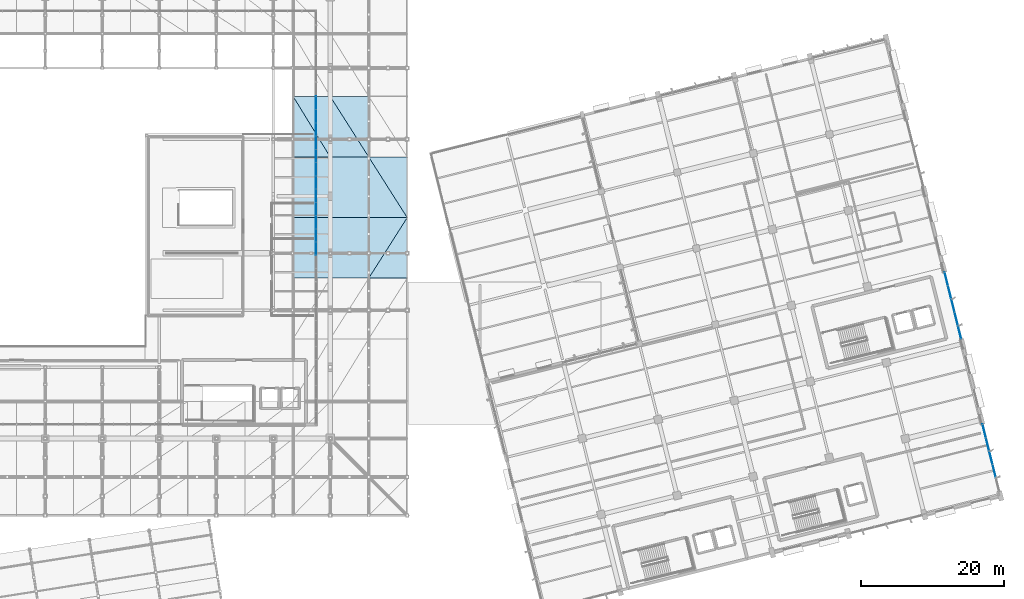
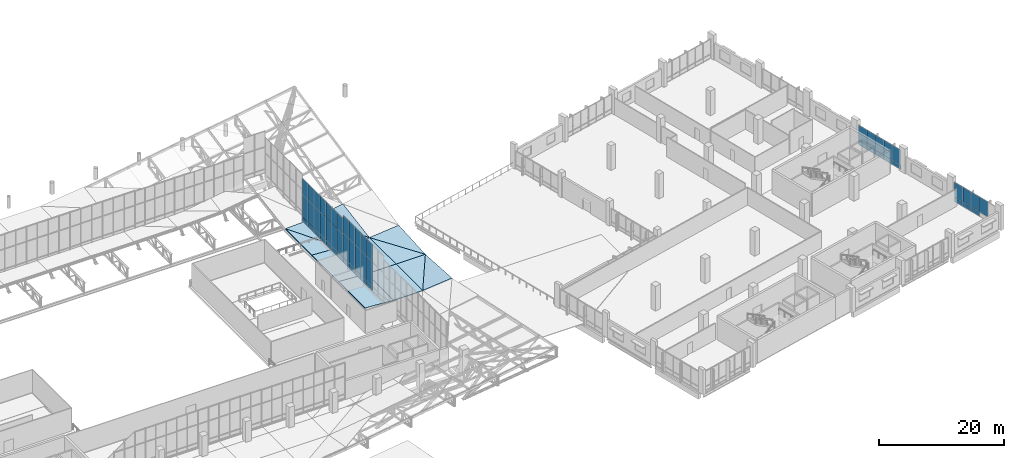
# One storey, part 111 of 137: 53 plates, 12 slabs, 5 elements without a shape of their own.
"""IFC4 building model written with IfcOpenShell, lengths in metres."""

from ifc_helpers import new_model, si_unit, direction, frame, origin, origin_2d, place, context, subcontext, project, spatial, polyline, rectangle, outline, extrude, material, layer, layer_set, type_object, element, aggregate, save


model = new_model("IFC4")

# Units and contexts
model_context = context("Model", 3, precision=1e-05, world=origin(), true_north=direction((0.0, 1.0)))
body_context = subcontext(model_context, "Body", "Model", "MODEL_VIEW")
ifc_project = project(units=[si_unit("LENGTHUNIT", "METRE"), si_unit("AREAUNIT", "SQUARE_METRE"), si_unit("VOLUMEUNIT", "CUBIC_METRE"), si_unit("PLANEANGLEUNIT", "RADIAN"), si_unit("MASSUNIT", "GRAM", prefix="KILO")], contexts=[model_context])

# Site, building, storey
site_placement = place(None, origin())
site = spatial("IfcSite", under=ifc_project, at=site_placement, CompositionType="ELEMENT")
building_placement = place(site_placement, origin())
building = spatial("IfcBuilding", under=site, at=building_placement, Name="Khorjan Park Terminus", CompositionType="ELEMENT")
storey_placement = place(building_placement, frame((0.0, 0.0, 11.4)))
storey = spatial("IfcBuildingStorey", under=building, at=storey_placement, Name="L02", CompositionType="ELEMENT", Elevation=11.4)

# Curtain wall, plates
ifc_material_1 = material(Name="Anodized Bronze Aluminium", Category="aluminium")
ifc_layer_1 = layer(ifc_material_1, 0.22)
ifc_layer_set_1 = layer_set([ifc_layer_1], Name="Anodized Bronze Aluminium")
curtain_wall_type_1 = type_object("IfcCurtainWallType", Name="CW-OPS-B", PredefinedType="NOTDEFINED", material=ifc_layer_set_1)
curtain_wall_1_placement = place(storey_placement, origin())
curtain_wall_1 = element("IfcCurtainWall", 1, at=curtain_wall_1_placement, inside=storey, type_object=curtain_wall_type_1, Name="Unitized curtain wall CW-B (CW-V5-E-L02-B03)", PredefinedType="NOTDEFINED")
ifc_material_2 = material(Name="Low-E Solar Control Double Glazing", Category="glass")
ifc_layer_2 = layer(ifc_material_2, 0.032)
ifc_layer_set_2 = layer_set([ifc_layer_2], Name="Low-E Solar Control Double Glazing")
plate_type_1 = type_object("IfcPlateType", Name="GL-VIS-32", PredefinedType="CURTAIN_PANEL", material=ifc_layer_set_2)
plate_1_placement = place(storey_placement, frame((224.3195, 40.9083, 0.844), z_axis=(0.0, 0.0, 1.0), x_axis=(-0.241922975976, 0.970295456907, 0.0)))
plate_1 = element("IfcPlate", 2, at=plate_1_placement, type_object=plate_type_1, Name="Curtain-wall panel VP-32 (CW-V5-E-L02-B03-0-2)", PredefinedType="CURTAIN_PANEL", context=body_context, shape_type="SweptSolid", body=[
    extrude(rectangle(XDim=1.9281, YDim=0.032, at=origin_2d()), origin(), (0.0, 0.0, 1.0), 3.001),
])
plate_2_placement = place(storey_placement, frame((223.8531, 42.7792, 0.844), z_axis=(0.0, 0.0, 1.0), x_axis=(-0.241922975976, 0.970295456907, 0.0)))
plate_2 = element("IfcPlate", 3, at=plate_2_placement, type_object=plate_type_1, Name="Curtain-wall panel VP-32 (CW-V5-E-L02-B03-1-2)", PredefinedType="CURTAIN_PANEL", context=body_context, shape_type="SweptSolid", body=[
    extrude(rectangle(XDim=1.9281, YDim=0.032, at=origin_2d()), origin(), (0.0, 0.0, 1.0), 3.001),
])
plate_3_placement = place(storey_placement, frame((223.3867, 44.6501, 0.844), z_axis=(0.0, 0.0, 1.0), x_axis=(-0.241922975976, 0.970295456907, 0.0)))
plate_3 = element("IfcPlate", 4, at=plate_3_placement, type_object=plate_type_1, Name="Curtain-wall panel VP-32 (CW-V5-E-L02-B03-2-2)", PredefinedType="CURTAIN_PANEL", context=body_context, shape_type="SweptSolid", body=[
    extrude(rectangle(XDim=1.9281, YDim=0.032, at=origin_2d()), origin(), (0.0, 0.0, 1.0), 3.001),
])
plate_4_placement = place(storey_placement, frame((222.9202, 46.5209, 0.844), z_axis=(0.0, 0.0, 1.0), x_axis=(-0.241922975976, 0.970295456907, 0.0)))
plate_4 = element("IfcPlate", 5, at=plate_4_placement, type_object=plate_type_1, Name="Curtain-wall panel VP-32 (CW-V5-E-L02-B03-3-2)", PredefinedType="CURTAIN_PANEL", context=body_context, shape_type="SweptSolid", body=[
    extrude(rectangle(XDim=1.9281, YDim=0.032, at=origin_2d()), origin(), (0.0, 0.0, 1.0), 3.001),
])
plate_5_placement = place(storey_placement, frame((222.4538, 48.3918, 0.844), z_axis=(0.0, 0.0, 1.0), x_axis=(-0.241922975976, 0.970295456907, 0.0)))
plate_5 = element("IfcPlate", 6, at=plate_5_placement, type_object=plate_type_1, Name="Curtain-wall panel VP-32 (CW-V5-E-L02-B03-4-2)", PredefinedType="CURTAIN_PANEL", context=body_context, shape_type="SweptSolid", body=[
    extrude(rectangle(XDim=1.9281, YDim=0.032, at=origin_2d()), origin(), (0.0, 0.0, 1.0), 3.001),
])

ifc_layer_3 = layer(ifc_material_1, 0.22)
ifc_layer_set_3 = layer_set([ifc_layer_3], Name="Anodized Bronze Aluminium")
curtain_wall_type_2 = type_object("IfcCurtainWallType", Name="CW-CONC-CLR", PredefinedType="NOTDEFINED", material=ifc_layer_set_3)
curtain_wall_2_placement = place(storey_placement, origin())
curtain_wall_2 = element("IfcCurtainWall", 7, at=curtain_wall_2_placement, inside=storey, type_object=curtain_wall_type_2, Name="Unitized curtain wall CW-CL (CW-V2-E-CLR-02)", PredefinedType="NOTDEFINED")
ifc_material_3 = material(Name="Acoustic Laminated Solar Glazing", Category="glass")
ifc_layer_4 = layer(ifc_material_3, 0.036)
ifc_layer_set_4 = layer_set([ifc_layer_4], Name="Acoustic Laminated Solar Glazing")
plate_type_2 = type_object("IfcPlateType", Name="GL-VIS-36", PredefinedType="CURTAIN_PANEL", material=ifc_layer_set_4)
plate_6_placement = place(storey_placement, frame((134.0, 52.6428, 1.8), z_axis=(0.0, 0.0, 1.0), x_axis=(0.0, 1.0, 0.0)))
plate_6 = element("IfcPlate", 8, at=plate_6_placement, type_object=plate_type_2, Name="Curtain-wall panel VP-36 (CW-V2-E-CLR-02-2-2)", PredefinedType="CURTAIN_PANEL", context=body_context, shape_type="SweptSolid", body=[
    extrude(rectangle(XDim=1.8571, YDim=0.036, at=origin_2d()), origin(), (0.0, 0.0, 1.0), 4.7702),
])
plate_7_placement = place(storey_placement, frame((134.0, 52.6428, 6.5702), z_axis=(0.0, 0.0, 1.0), x_axis=(0.0, 1.0, 0.0)))
plate_7 = element("IfcPlate", 9, at=plate_7_placement, type_object=plate_type_2, Name="Curtain-wall panel VP-36 (CW-V2-E-CLR-02-2-3)", PredefinedType="CURTAIN_PANEL", context=body_context, shape_type="SweptSolid", body=[
    extrude(rectangle(XDim=1.8571, YDim=0.036, at=origin_2d()), origin(), (0.0, 0.0, 1.0), 3.4546),
])
plate_8_placement = place(storey_placement, frame((134.0, 54.5, 1.8), z_axis=(0.0, 0.0, 1.0), x_axis=(0.0, 1.0, 0.0)))
plate_8 = element("IfcPlate", 10, at=plate_8_placement, type_object=plate_type_2, Name="Curtain-wall panel VP-36 (CW-V2-E-CLR-02-3-2)", PredefinedType="CURTAIN_PANEL", context=body_context, shape_type="SweptSolid", body=[
    extrude(rectangle(XDim=1.8571, YDim=0.036, at=origin_2d()), origin(), (0.0, 0.0, 1.0), 4.7702),
])
plate_9_placement = place(storey_placement, frame((134.0, 54.5, 6.5702), z_axis=(0.0, 0.0, 1.0), x_axis=(0.0, 1.0, 0.0)))
plate_9 = element("IfcPlate", 11, at=plate_9_placement, type_object=plate_type_2, Name="Curtain-wall panel VP-36 (CW-V2-E-CLR-02-3-3)", PredefinedType="CURTAIN_PANEL", context=body_context, shape_type="SweptSolid", body=[
    extrude(rectangle(XDim=1.8571, YDim=0.036, at=origin_2d()), origin(), (0.0, 0.0, 1.0), 3.4546),
])
plate_10_placement = place(storey_placement, frame((134.0, 56.3572, 1.8), z_axis=(0.0, 0.0, 1.0), x_axis=(0.0, 1.0, 0.0)))
plate_10 = element("IfcPlate", 12, at=plate_10_placement, type_object=plate_type_2, Name="Curtain-wall panel VP-36 (CW-V2-E-CLR-02-4-2)", PredefinedType="CURTAIN_PANEL", context=body_context, shape_type="SweptSolid", body=[
    extrude(rectangle(XDim=1.8571, YDim=0.036, at=origin_2d()), origin(), (0.0, 0.0, 1.0), 4.7702),
])
plate_11_placement = place(storey_placement, frame((134.0, 56.3572, 6.5702), z_axis=(0.0, 0.0, 1.0), x_axis=(0.0, 1.0, 0.0)))
plate_11 = element("IfcPlate", 13, at=plate_11_placement, type_object=plate_type_2, Name="Curtain-wall panel VP-36 (CW-V2-E-CLR-02-4-3)", PredefinedType="CURTAIN_PANEL", context=body_context, shape_type="SweptSolid", body=[
    extrude(rectangle(XDim=1.8571, YDim=0.036, at=origin_2d()), origin(), (0.0, 0.0, 1.0), 3.4546),
])
plate_12_placement = place(storey_placement, frame((134.0, 58.2143, 1.8), z_axis=(0.0, 0.0, 1.0), x_axis=(0.0, 1.0, 0.0)))
plate_12 = element("IfcPlate", 14, at=plate_12_placement, type_object=plate_type_2, Name="Curtain-wall panel VP-36 (CW-V2-E-CLR-02-5-2)", PredefinedType="CURTAIN_PANEL", context=body_context, shape_type="SweptSolid", body=[
    extrude(rectangle(XDim=1.8571, YDim=0.036, at=origin_2d()), origin(), (0.0, 0.0, 1.0), 4.7702),
])
plate_13_placement = place(storey_placement, frame((134.0, 58.2143, 6.5702), z_axis=(0.0, 0.0, 1.0), x_axis=(0.0, 1.0, 0.0)))
plate_13 = element("IfcPlate", 15, at=plate_13_placement, type_object=plate_type_2, Name="Curtain-wall panel VP-36 (CW-V2-E-CLR-02-5-3)", PredefinedType="CURTAIN_PANEL", context=body_context, shape_type="SweptSolid", body=[
    extrude(rectangle(XDim=1.8571, YDim=0.036, at=origin_2d()), origin(), (0.0, 0.0, 1.0), 3.4546),
])
plate_14_placement = place(storey_placement, frame((134.0, 60.0714, 1.8), z_axis=(0.0, 0.0, 1.0), x_axis=(0.0, 1.0, 0.0)))
plate_14 = element("IfcPlate", 16, at=plate_14_placement, type_object=plate_type_2, Name="Curtain-wall panel VP-36 (CW-V2-E-CLR-02-6-2)", PredefinedType="CURTAIN_PANEL", context=body_context, shape_type="SweptSolid", body=[
    extrude(rectangle(XDim=1.8571, YDim=0.036, at=origin_2d()), origin(), (0.0, 0.0, 1.0), 4.7702),
])
plate_15_placement = place(storey_placement, frame((134.0, 60.0714, 6.5702), z_axis=(0.0, 0.0, 1.0), x_axis=(0.0, 1.0, 0.0)))
plate_15 = element("IfcPlate", 17, at=plate_15_placement, type_object=plate_type_2, Name="Curtain-wall panel VP-36 (CW-V2-E-CLR-02-6-3)", PredefinedType="CURTAIN_PANEL", context=body_context, shape_type="SweptSolid", body=[
    extrude(rectangle(XDim=1.8571, YDim=0.036, at=origin_2d()), origin(), (0.0, 0.0, 1.0), 3.4546),
])

curtain_wall_3_placement = place(storey_placement, origin())
curtain_wall_3 = element("IfcCurtainWall", 18, at=curtain_wall_3_placement, inside=storey, type_object=curtain_wall_type_2, Name="Unitized curtain wall CW-CL (CW-V2-E-CLR-03)", PredefinedType="NOTDEFINED")
plate_16_placement = place(storey_placement, frame((134.0, 61.9286, 1.8), z_axis=(0.0, 0.0, 1.0), x_axis=(0.0, 1.0, 0.0)))
plate_16 = element("IfcPlate", 19, at=plate_16_placement, type_object=plate_type_2, Name="Curtain-wall panel VP-36 (CW-V2-E-CLR-03-0-2)", PredefinedType="CURTAIN_PANEL", context=body_context, shape_type="SweptSolid", body=[
    extrude(rectangle(XDim=1.8571, YDim=0.036, at=origin_2d()), origin(), (0.0, 0.0, 1.0), 4.355),
])
plate_17_placement = place(storey_placement, frame((134.0, 61.9286, 6.155), z_axis=(0.0, 0.0, 1.0), x_axis=(0.0, 1.0, 0.0)))
plate_17 = element("IfcPlate", 20, at=plate_17_placement, type_object=plate_type_2, Name="Curtain-wall panel VP-36 (CW-V2-E-CLR-03-0-3)", PredefinedType="CURTAIN_PANEL", context=body_context, shape_type="SweptSolid", body=[
    extrude(rectangle(XDim=1.8571, YDim=0.036, at=origin_2d()), origin(), (0.0, 0.0, 1.0), 3.2002),
])
plate_18_placement = place(storey_placement, frame((134.0, 63.7857, 1.8), z_axis=(0.0, 0.0, 1.0), x_axis=(0.0, 1.0, 0.0)))
plate_18 = element("IfcPlate", 21, at=plate_18_placement, type_object=plate_type_2, Name="Curtain-wall panel VP-36 (CW-V2-E-CLR-03-1-2)", PredefinedType="CURTAIN_PANEL", context=body_context, shape_type="SweptSolid", body=[
    extrude(rectangle(XDim=1.8571, YDim=0.036, at=origin_2d()), origin(), (0.0, 0.0, 1.0), 4.355),
])
plate_19_placement = place(storey_placement, frame((134.0, 63.7857, 6.155), z_axis=(0.0, 0.0, 1.0), x_axis=(0.0, 1.0, 0.0)))
plate_19 = element("IfcPlate", 22, at=plate_19_placement, type_object=plate_type_2, Name="Curtain-wall panel VP-36 (CW-V2-E-CLR-03-1-3)", PredefinedType="CURTAIN_PANEL", context=body_context, shape_type="SweptSolid", body=[
    extrude(rectangle(XDim=1.8571, YDim=0.036, at=origin_2d()), origin(), (0.0, 0.0, 1.0), 3.2002),
])
plate_20_placement = place(storey_placement, frame((134.0, 65.6428, 1.8), z_axis=(0.0, 0.0, 1.0), x_axis=(0.0, 1.0, 0.0)))
plate_20 = element("IfcPlate", 23, at=plate_20_placement, type_object=plate_type_2, Name="Curtain-wall panel VP-36 (CW-V2-E-CLR-03-2-2)", PredefinedType="CURTAIN_PANEL", context=body_context, shape_type="SweptSolid", body=[
    extrude(rectangle(XDim=1.8571, YDim=0.036, at=origin_2d()), origin(), (0.0, 0.0, 1.0), 4.355),
])
plate_21_placement = place(storey_placement, frame((134.0, 65.6428, 6.155), z_axis=(0.0, 0.0, 1.0), x_axis=(0.0, 1.0, 0.0)))
plate_21 = element("IfcPlate", 24, at=plate_21_placement, type_object=plate_type_2, Name="Curtain-wall panel VP-36 (CW-V2-E-CLR-03-2-3)", PredefinedType="CURTAIN_PANEL", context=body_context, shape_type="SweptSolid", body=[
    extrude(rectangle(XDim=1.8571, YDim=0.036, at=origin_2d()), origin(), (0.0, 0.0, 1.0), 3.2002),
])
plate_22_placement = place(storey_placement, frame((134.0, 67.5, 1.8), z_axis=(0.0, 0.0, 1.0), x_axis=(0.0, 1.0, 0.0)))
plate_22 = element("IfcPlate", 25, at=plate_22_placement, type_object=plate_type_2, Name="Curtain-wall panel VP-36 (CW-V2-E-CLR-03-3-2)", PredefinedType="CURTAIN_PANEL", context=body_context, shape_type="SweptSolid", body=[
    extrude(rectangle(XDim=1.8571, YDim=0.036, at=origin_2d()), origin(), (0.0, 0.0, 1.0), 4.355),
])
plate_23_placement = place(storey_placement, frame((134.0, 67.5, 6.155), z_axis=(0.0, 0.0, 1.0), x_axis=(0.0, 1.0, 0.0)))
plate_23 = element("IfcPlate", 26, at=plate_23_placement, type_object=plate_type_2, Name="Curtain-wall panel VP-36 (CW-V2-E-CLR-03-3-3)", PredefinedType="CURTAIN_PANEL", context=body_context, shape_type="SweptSolid", body=[
    extrude(rectangle(XDim=1.8571, YDim=0.036, at=origin_2d()), origin(), (0.0, 0.0, 1.0), 3.2002),
])
plate_24_placement = place(storey_placement, frame((134.0, 69.3572, 1.8), z_axis=(0.0, 0.0, 1.0), x_axis=(0.0, 1.0, 0.0)))
plate_24 = element("IfcPlate", 27, at=plate_24_placement, type_object=plate_type_2, Name="Curtain-wall panel VP-36 (CW-V2-E-CLR-03-4-2)", PredefinedType="CURTAIN_PANEL", context=body_context, shape_type="SweptSolid", body=[
    extrude(rectangle(XDim=1.8571, YDim=0.036, at=origin_2d()), origin(), (0.0, 0.0, 1.0), 4.355),
])
plate_25_placement = place(storey_placement, frame((134.0, 69.3572, 6.155), z_axis=(0.0, 0.0, 1.0), x_axis=(0.0, 1.0, 0.0)))
plate_25 = element("IfcPlate", 28, at=plate_25_placement, type_object=plate_type_2, Name="Curtain-wall panel VP-36 (CW-V2-E-CLR-03-4-3)", PredefinedType="CURTAIN_PANEL", context=body_context, shape_type="SweptSolid", body=[
    extrude(rectangle(XDim=1.8571, YDim=0.036, at=origin_2d()), origin(), (0.0, 0.0, 1.0), 3.2002),
])
plate_26_placement = place(storey_placement, frame((134.0, 71.2143, 1.8), z_axis=(0.0, 0.0, 1.0), x_axis=(0.0, 1.0, 0.0)))
plate_26 = element("IfcPlate", 29, at=plate_26_placement, type_object=plate_type_2, Name="Curtain-wall panel VP-36 (CW-V2-E-CLR-03-5-2)", PredefinedType="CURTAIN_PANEL", context=body_context, shape_type="SweptSolid", body=[
    extrude(rectangle(XDim=1.8571, YDim=0.036, at=origin_2d()), origin(), (0.0, 0.0, 1.0), 4.355),
])
plate_27_placement = place(storey_placement, frame((134.0, 71.2143, 6.155), z_axis=(0.0, 0.0, 1.0), x_axis=(0.0, 1.0, 0.0)))
plate_27 = element("IfcPlate", 30, at=plate_27_placement, type_object=plate_type_2, Name="Curtain-wall panel VP-36 (CW-V2-E-CLR-03-5-3)", PredefinedType="CURTAIN_PANEL", context=body_context, shape_type="SweptSolid", body=[
    extrude(rectangle(XDim=1.8571, YDim=0.036, at=origin_2d()), origin(), (0.0, 0.0, 1.0), 3.2002),
])
plate_28_placement = place(storey_placement, frame((134.0, 73.0714, 1.8), z_axis=(0.0, 0.0, 1.0), x_axis=(0.0, 1.0, 0.0)))
plate_28 = element("IfcPlate", 31, at=plate_28_placement, type_object=plate_type_2, Name="Curtain-wall panel VP-36 (CW-V2-E-CLR-03-6-2)", PredefinedType="CURTAIN_PANEL", context=body_context, shape_type="SweptSolid", body=[
    extrude(rectangle(XDim=1.8571, YDim=0.036, at=origin_2d()), origin(), (0.0, 0.0, 1.0), 4.355),
])
plate_29_placement = place(storey_placement, frame((134.0, 73.0714, 6.155), z_axis=(0.0, 0.0, 1.0), x_axis=(0.0, 1.0, 0.0)))
plate_29 = element("IfcPlate", 32, at=plate_29_placement, type_object=plate_type_2, Name="Curtain-wall panel VP-36 (CW-V2-E-CLR-03-6-3)", PredefinedType="CURTAIN_PANEL", context=body_context, shape_type="SweptSolid", body=[
    extrude(rectangle(XDim=1.8571, YDim=0.036, at=origin_2d()), origin(), (0.0, 0.0, 1.0), 3.2002),
])

curtain_wall_4_placement = place(storey_placement, origin())
curtain_wall_4 = element("IfcCurtainWall", 33, at=curtain_wall_4_placement, inside=storey, type_object=curtain_wall_type_1, Name="Unitized curtain wall CW-B (CW-V5-E-L02-B01)", PredefinedType="NOTDEFINED")
plate_30_placement = place(storey_placement, frame((229.1754, 21.4327, 0.841), z_axis=(0.0, 0.0, 1.0), x_axis=(-0.241920488516, 0.9702960771, 0.0)))
plate_30 = element("IfcPlate", 34, at=plate_30_placement, type_object=plate_type_2, Name="Curtain-wall panel VP-36 (CW-V5-E-L02-B01-1-2)", PredefinedType="CURTAIN_PANEL", context=body_context, shape_type="SweptSolid", body=[
    extrude(rectangle(XDim=1.928, YDim=0.036, at=origin_2d()), origin(), (0.0, 0.0, 1.0), 2.994),
])
plate_31_placement = place(storey_placement, frame((228.709, 23.3035, 0.841), z_axis=(0.0, 0.0, 1.0), x_axis=(-0.241920488516, 0.9702960771, 0.0)))
plate_31 = element("IfcPlate", 35, at=plate_31_placement, type_object=plate_type_2, Name="Curtain-wall panel VP-36 (CW-V5-E-L02-B01-2-2)", PredefinedType="CURTAIN_PANEL", context=body_context, shape_type="SweptSolid", body=[
    extrude(rectangle(XDim=1.928, YDim=0.036, at=origin_2d()), origin(), (0.0, 0.0, 1.0), 2.994),
])
plate_32_placement = place(storey_placement, frame((228.2425, 25.1743, 0.841), z_axis=(0.0, 0.0, 1.0), x_axis=(-0.241920488516, 0.9702960771, 0.0)))
plate_32 = element("IfcPlate", 36, at=plate_32_placement, type_object=plate_type_2, Name="Curtain-wall panel VP-36 (CW-V5-E-L02-B01-3-2)", PredefinedType="CURTAIN_PANEL", context=body_context, shape_type="SweptSolid", body=[
    extrude(rectangle(XDim=1.928, YDim=0.036, at=origin_2d()), origin(), (0.0, 0.0, 1.0), 2.994),
])
plate_33_placement = place(storey_placement, frame((227.7761, 27.045, 0.841), z_axis=(0.0, 0.0, 1.0), x_axis=(-0.241920488516, 0.9702960771, 0.0)))
plate_33 = element("IfcPlate", 37, at=plate_33_placement, type_object=plate_type_2, Name="Curtain-wall panel VP-36 (CW-V5-E-L02-B01-4-2)", PredefinedType="CURTAIN_PANEL", context=body_context, shape_type="SweptSolid", body=[
    extrude(rectangle(XDim=1.928, YDim=0.036, at=origin_2d()), origin(), (0.0, 0.0, 1.0), 2.994),
])

# Roof, slabs
ifc_material_4 = material(Name="Concrete C50/60", Category="concrete")
ifc_layer_5 = layer(ifc_material_4, 0.16)
ifc_layer_set_5 = layer_set([ifc_layer_5], Name="Concrete C50/60")
roof_type = type_object("IfcRoofType", Name="RF-SHELL-LOWER", PredefinedType="FREEFORM", material=ifc_layer_set_5)
roof_placement = place(storey_placement, origin())
roof = element("IfcRoof", 38, at=roof_placement, inside=storey, type_object=roof_type, Name="Lower 4-sided wrapping folded concrete shell roof RF-CS2 (4)", PredefinedType="FREEFORM")
ifc_layer_6 = layer(ifc_material_4, 0.16)
ifc_layer_set_6 = layer_set([ifc_layer_6], Name="Concrete C50/60")
slab_type = type_object("IfcSlabType", Name="SL-SHL-160", PredefinedType="ROOF", material=ifc_layer_set_6)
slab_1_placement = place(storey_placement, frame((130.8, 48.5, 0.654), z_axis=(0.056448312253, 0.0, 0.998405522843), x_axis=(0.998405522843, 0.0, -0.056448312253)))
slab_1 = element("IfcSlab", 39, at=slab_1_placement, type_object=slab_type, Name="Lower 4-sided wrapping folded concrete shell facet RS-16 (159)", PredefinedType="ROOF", context=body_context, shape_type="SweptSolid", body=[
    extrude(outline(polyline([(0.0, 0.0), (5.20830452258697, 0.0), (5.20830452258697, 8.500000000000002), (0.0, 8.500000000000002), (0.0, 0.0)])), origin(), (0.0, 0.0, -1.0), 0.16),
])
slab_2_placement = place(storey_placement, frame((130.8, 57.0, 0.654), z_axis=(0.056448312253, 0.0, 0.998405522843), x_axis=(0.998405522843, 0.0, -0.056448312253)))
slab_2 = element("IfcSlab", 40, at=slab_2_placement, type_object=slab_type, Name="Lower 4-sided wrapping folded concrete shell facet RS-16 (160)", PredefinedType="ROOF", context=body_context, shape_type="SweptSolid", body=[
    extrude(outline(polyline([(0.0, 0.0), (5.20830452258697, 0.0), (5.20830452258697, 8.500000000000002), (0.0, 8.500000000000002), (0.0, 0.0)])), origin(), (0.0, 0.0, -1.0), 0.16),
])
slab_3_placement = place(storey_placement, frame((130.8, 65.5, 0.654), z_axis=(0.056448312253, 0.0, 0.998405522843), x_axis=(0.998405522843, 0.0, -0.056448312253)))
slab_3 = element("IfcSlab", 41, at=slab_3_placement, type_object=slab_type, Name="Lower 4-sided wrapping folded concrete shell facet RS-16 (161)", PredefinedType="ROOF", context=body_context, shape_type="SweptSolid", body=[
    extrude(outline(polyline([(0.0, 0.0), (5.20830452258697, 0.0), (0.0, 8.500000000000002), (0.0, 0.0)])), origin(), (0.0, 0.0, -1.0), 0.16),
])
slab_4_placement = place(storey_placement, frame((136.0, 65.5, 0.36), z_axis=(-0.040108986249, -0.059037286469, 0.997449681953), x_axis=(0.0, 0.998252965285, 0.059084831392)))
slab_4 = element("IfcSlab", 42, at=slab_4_placement, type_object=slab_type, Name="Lower 4-sided wrapping folded concrete shell facet RS-16 (162)", PredefinedType="ROOF", context=body_context, shape_type="SweptSolid", body=[
    extrude(outline(polyline([(0.0, 0.0), (8.514875783591913, 3.469446951953614e-18), (8.502521145347782, 5.2041877534264405), (0.0, 0.0)])), origin(), (0.0, 0.0, -1.0), 0.16),
])
slab_5_placement = place(storey_placement, frame((136.0, 48.5, 0.36), z_axis=(0.0, 0.0, 1.0), x_axis=(1.0, 0.0, 0.0)))
slab_5 = element("IfcSlab", 43, at=slab_5_placement, type_object=slab_type, Name="Lower 4-sided wrapping folded concrete shell facet RS-16 (178)", PredefinedType="ROOF", context=body_context, shape_type="SweptSolid", body=[
    extrude(outline(polyline([(0.0, 0.0), (5.400000000000006, 0.0), (5.400000000000006, 8.5), (0.0, 8.5), (0.0, 0.0)])), origin(), (0.0, 0.0, -1.0), 0.16),
])
slab_6_placement = place(storey_placement, frame((136.0, 57.0, 0.36), z_axis=(0.0, 0.0, 1.0), x_axis=(1.0, 0.0, 0.0)))
slab_6 = element("IfcSlab", 44, at=slab_6_placement, type_object=slab_type, Name="Lower 4-sided wrapping folded concrete shell facet RS-16 (179)", PredefinedType="ROOF", context=body_context, shape_type="SweptSolid", body=[
    extrude(outline(polyline([(0.0, 0.0), (5.400000000000006, 0.0), (5.400000000000006, 8.5), (0.0, 8.5), (0.0, 0.0)])), origin(), (0.0, 0.0, -1.0), 0.16),
])
slab_7_placement = place(storey_placement, frame((136.0, 65.5, 0.36), z_axis=(0.0, -0.059084831392, 0.998252965285), x_axis=(1.0, 0.0, 0.0)))
slab_7 = element("IfcSlab", 45, at=slab_7_placement, type_object=slab_type, Name="Lower 4-sided wrapping folded concrete shell facet RS-16 (180)", PredefinedType="ROOF", context=body_context, shape_type="SweptSolid", body=[
    extrude(outline(polyline([(0.0, 0.0), (5.400000000000006, 0.0), (0.0, 8.514875783591911), (0.0, 0.0)])), origin(), (0.0, 0.0, -1.0), 0.16),
])
slab_8_placement = place(storey_placement, frame((141.4, 65.5, 0.36), z_axis=(-0.165020025459, -0.162416074736, 0.972825477598), x_axis=(0.0, 0.986348096439, 0.164673715724)))
slab_8 = element("IfcSlab", 46, at=slab_8_placement, type_object=slab_type, Name="Lower 4-sided wrapping folded concrete shell facet RS-16 (181)", PredefinedType="ROOF", context=body_context, shape_type="SweptSolid", body=[
    extrude(outline(polyline([(0.0, 0.0), (8.617647289718928, 0.0), (8.466806166115411, 5.475061913387838), (0.0, 0.0)])), origin(), (0.0, 0.0, -1.0), 0.16),
])
slab_9_placement = place(storey_placement, frame((141.4, 48.5, 0.36), z_axis=(-0.09761831479, 0.062016341161, 0.993289805669), x_axis=(0.995205442629, 0.0, 0.097806579334)))
slab_9 = element("IfcSlab", 47, at=slab_9_placement, type_object=slab_type, Name="Lower 4-sided wrapping folded concrete shell facet RS-16 (194)", PredefinedType="ROOF", context=body_context, shape_type="SweptSolid", body=[
    extrude(outline(polyline([(0.0, 0.0), (5.426015341850783, 0.0), (5.374109390198251, 8.516392913797665), (0.0, 0.0)])), origin(), (0.0, 0.0, -1.0), 0.16),
])
slab_10_placement = place(storey_placement, frame((141.4, 48.5, 0.36), z_axis=(0.0, 0.0, 1.0), x_axis=(0.536232791745, 0.844070135153, 0.0)))
slab_10 = element("IfcSlab", 48, at=slab_10_placement, type_object=slab_type, Name="Lower 4-sided wrapping folded concrete shell facet RS-16 (195)", PredefinedType="ROOF", context=body_context, shape_type="SweptSolid", body=[
    extrude(outline(polyline([(0.0, 0.0), (10.07025322422431, 0.0), (7.174596148803923, 4.557978729828379), (0.0, 0.0)])), origin(), (0.0, 0.0, -1.0), 0.16),
])
slab_11_placement = place(storey_placement, frame((141.4, 57.0, 0.36), z_axis=(0.0, 0.0, 1.0), x_axis=(1.0, 0.0, 0.0)))
slab_11 = element("IfcSlab", 49, at=slab_11_placement, type_object=slab_type, Name="Lower 4-sided wrapping folded concrete shell facet RS-16 (196)", PredefinedType="ROOF", context=body_context, shape_type="SweptSolid", body=[
    extrude(outline(polyline([(0.0, 0.0), (5.400000000000006, 0.0), (0.0, 8.5), (0.0, 0.0)])), origin(), (0.0, 0.0, -1.0), 0.16),
])
slab_12_placement = place(storey_placement, frame((146.8, 57.0, 0.36), z_axis=(-0.09761831479, -0.062016341161, 0.993289805669), x_axis=(0.0, 0.998056596963, 0.062313957177)))
slab_12 = element("IfcSlab", 50, at=slab_12_placement, type_object=slab_type, Name="Lower 4-sided wrapping folded concrete shell facet RS-16 (197)", PredefinedType="ROOF", context=body_context, shape_type="SweptSolid", body=[
    extrude(outline(polyline([(0.0, 0.0), (8.516551091257542, 0.0), (8.48348107418348, 5.425914564750425), (0.0, 0.0)])), origin(), (0.0, 0.0, -1.0), 0.16),
])
aggregate(roof, [slab_1, slab_2, slab_3, slab_4, slab_5, slab_6, slab_7, slab_8, slab_9, slab_10, slab_11, slab_12])

# Plate
ifc_material_5 = material(Name="Insulated Anodized Bronze Spandrel Panel")
ifc_layer_7 = layer(ifc_material_5, 0.045)
ifc_layer_set_7 = layer_set([ifc_layer_7], Name="Insulated Anodized Bronze Spandrel Panel")
plate_type_3 = type_object("IfcPlateType", Name="SP-AL-45", PredefinedType="CURTAIN_PANEL", material=ifc_layer_set_7)
plate_34_placement = place(storey_placement, frame((134.0, 52.6428, 0.94), z_axis=(0.0, 0.0, 1.0), x_axis=(0.0, 1.0, 0.0)))
plate_34 = element("IfcPlate", 51, at=plate_34_placement, type_object=plate_type_3, Name="Curtain-wall panel SP-A45 (CW-V2-E-CLR-02-2-1)", PredefinedType="CURTAIN_PANEL", context=body_context, shape_type="SweptSolid", body=[
    extrude(rectangle(XDim=1.8571, YDim=0.045, at=origin_2d()), origin(), (0.0, 0.0, 1.0), 0.86),
])

plate_35_placement = place(storey_placement, frame((134.0, 54.5, 0.94), z_axis=(0.0, 0.0, 1.0), x_axis=(0.0, 1.0, 0.0)))
plate_35 = element("IfcPlate", 52, at=plate_35_placement, type_object=plate_type_3, Name="Curtain-wall panel SP-A45 (CW-V2-E-CLR-02-3-1)", PredefinedType="CURTAIN_PANEL", context=body_context, shape_type="SweptSolid", body=[
    extrude(rectangle(XDim=1.8571, YDim=0.045, at=origin_2d()), origin(), (0.0, 0.0, 1.0), 0.86),
])

plate_36_placement = place(storey_placement, frame((134.0, 56.3572, 0.94), z_axis=(0.0, 0.0, 1.0), x_axis=(0.0, 1.0, 0.0)))
plate_36 = element("IfcPlate", 53, at=plate_36_placement, type_object=plate_type_3, Name="Curtain-wall panel SP-A45 (CW-V2-E-CLR-02-4-1)", PredefinedType="CURTAIN_PANEL", context=body_context, shape_type="SweptSolid", body=[
    extrude(rectangle(XDim=1.8571, YDim=0.045, at=origin_2d()), origin(), (0.0, 0.0, 1.0), 0.86),
])

plate_37_placement = place(storey_placement, frame((134.0, 58.2143, 0.94), z_axis=(0.0, 0.0, 1.0), x_axis=(0.0, 1.0, 0.0)))
plate_37 = element("IfcPlate", 54, at=plate_37_placement, type_object=plate_type_3, Name="Curtain-wall panel SP-A45 (CW-V2-E-CLR-02-5-1)", PredefinedType="CURTAIN_PANEL", context=body_context, shape_type="SweptSolid", body=[
    extrude(rectangle(XDim=1.8571, YDim=0.045, at=origin_2d()), origin(), (0.0, 0.0, 1.0), 0.86),
])

plate_38_placement = place(storey_placement, frame((134.0, 60.0714, 0.94), z_axis=(0.0, 0.0, 1.0), x_axis=(0.0, 1.0, 0.0)))
plate_38 = element("IfcPlate", 55, at=plate_38_placement, type_object=plate_type_3, Name="Curtain-wall panel SP-A45 (CW-V2-E-CLR-02-6-1)", PredefinedType="CURTAIN_PANEL", context=body_context, shape_type="SweptSolid", body=[
    extrude(rectangle(XDim=1.8571, YDim=0.045, at=origin_2d()), origin(), (0.0, 0.0, 1.0), 0.86),
])

aggregate(curtain_wall_2, [plate_34, plate_6, plate_7, plate_35, plate_8, plate_9, plate_36, plate_10, plate_11, plate_37, plate_12, plate_13, plate_38, plate_14, plate_15])

plate_39_placement = place(storey_placement, frame((134.0, 61.9286, 0.94), z_axis=(0.0, 0.0, 1.0), x_axis=(0.0, 1.0, 0.0)))
plate_39 = element("IfcPlate", 56, at=plate_39_placement, type_object=plate_type_3, Name="Curtain-wall panel SP-A45 (CW-V2-E-CLR-03-0-1)", PredefinedType="CURTAIN_PANEL", context=body_context, shape_type="SweptSolid", body=[
    extrude(rectangle(XDim=1.8571, YDim=0.045, at=origin_2d()), origin(), (0.0, 0.0, 1.0), 0.86),
])

plate_40_placement = place(storey_placement, frame((134.0, 63.7857, 0.94), z_axis=(0.0, 0.0, 1.0), x_axis=(0.0, 1.0, 0.0)))
plate_40 = element("IfcPlate", 57, at=plate_40_placement, type_object=plate_type_3, Name="Curtain-wall panel SP-A45 (CW-V2-E-CLR-03-1-1)", PredefinedType="CURTAIN_PANEL", context=body_context, shape_type="SweptSolid", body=[
    extrude(rectangle(XDim=1.8571, YDim=0.045, at=origin_2d()), origin(), (0.0, 0.0, 1.0), 0.86),
])

plate_41_placement = place(storey_placement, frame((134.0, 65.6428, 0.94), z_axis=(0.0, 0.0, 1.0), x_axis=(0.0, 1.0, 0.0)))
plate_41 = element("IfcPlate", 58, at=plate_41_placement, type_object=plate_type_3, Name="Curtain-wall panel SP-A45 (CW-V2-E-CLR-03-2-1)", PredefinedType="CURTAIN_PANEL", context=body_context, shape_type="SweptSolid", body=[
    extrude(rectangle(XDim=1.8571, YDim=0.045, at=origin_2d()), origin(), (0.0, 0.0, 1.0), 0.86),
])

plate_42_placement = place(storey_placement, frame((134.0, 67.5, 0.94), z_axis=(0.0, 0.0, 1.0), x_axis=(0.0, 1.0, 0.0)))
plate_42 = element("IfcPlate", 59, at=plate_42_placement, type_object=plate_type_3, Name="Curtain-wall panel SP-A45 (CW-V2-E-CLR-03-3-1)", PredefinedType="CURTAIN_PANEL", context=body_context, shape_type="SweptSolid", body=[
    extrude(rectangle(XDim=1.8571, YDim=0.045, at=origin_2d()), origin(), (0.0, 0.0, 1.0), 0.86),
])

plate_43_placement = place(storey_placement, frame((134.0, 69.3572, 0.94), z_axis=(0.0, 0.0, 1.0), x_axis=(0.0, 1.0, 0.0)))
plate_43 = element("IfcPlate", 60, at=plate_43_placement, type_object=plate_type_3, Name="Curtain-wall panel SP-A45 (CW-V2-E-CLR-03-4-1)", PredefinedType="CURTAIN_PANEL", context=body_context, shape_type="SweptSolid", body=[
    extrude(rectangle(XDim=1.8571, YDim=0.045, at=origin_2d()), origin(), (0.0, 0.0, 1.0), 0.86),
])

plate_44_placement = place(storey_placement, frame((134.0, 71.2143, 0.94), z_axis=(0.0, 0.0, 1.0), x_axis=(0.0, 1.0, 0.0)))
plate_44 = element("IfcPlate", 61, at=plate_44_placement, type_object=plate_type_3, Name="Curtain-wall panel SP-A45 (CW-V2-E-CLR-03-5-1)", PredefinedType="CURTAIN_PANEL", context=body_context, shape_type="SweptSolid", body=[
    extrude(rectangle(XDim=1.8571, YDim=0.045, at=origin_2d()), origin(), (0.0, 0.0, 1.0), 0.86),
])

plate_45_placement = place(storey_placement, frame((134.0, 73.0714, 0.94), z_axis=(0.0, 0.0, 1.0), x_axis=(0.0, 1.0, 0.0)))
plate_45 = element("IfcPlate", 62, at=plate_45_placement, type_object=plate_type_3, Name="Curtain-wall panel SP-A45 (CW-V2-E-CLR-03-6-1)", PredefinedType="CURTAIN_PANEL", context=body_context, shape_type="SweptSolid", body=[
    extrude(rectangle(XDim=1.8571, YDim=0.045, at=origin_2d()), origin(), (0.0, 0.0, 1.0), 0.86),
])

aggregate(curtain_wall_3, [plate_39, plate_16, plate_17, plate_40, plate_18, plate_19, plate_41, plate_20, plate_21, plate_42, plate_22, plate_23, plate_43, plate_24, plate_25, plate_44, plate_26, plate_27, plate_45, plate_28, plate_29])

ifc_material_6 = material(Name="Insulated Bronze-Composite Spandrel Panel")
ifc_layer_8 = layer(ifc_material_6, 0.055)
ifc_layer_set_8 = layer_set([ifc_layer_8], Name="Insulated Bronze-Composite Spandrel Panel")
plate_type_4 = type_object("IfcPlateType", Name="SP-AL-55", PredefinedType="CURTAIN_PANEL", material=ifc_layer_set_8)
plate_46_placement = place(storey_placement, frame((228.709, 23.3035, -0.01), z_axis=(0.0, 0.0, 1.0), x_axis=(-0.241920488516, 0.9702960771, 0.0)))
plate_46 = element("IfcPlate", 63, at=plate_46_placement, type_object=plate_type_4, Name="Curtain-wall panel SP-A55 (CW-V5-E-L02-B01-2-1)", PredefinedType="CURTAIN_PANEL", context=body_context, shape_type="SweptSolid", body=[
    extrude(rectangle(XDim=1.928, YDim=0.055, at=origin_2d()), origin(), (0.0, 0.0, 1.0), 0.851),
])

plate_47_placement = place(storey_placement, frame((228.2425, 25.1743, -0.01), z_axis=(0.0, 0.0, 1.0), x_axis=(-0.241920488516, 0.9702960771, 0.0)))
plate_47 = element("IfcPlate", 64, at=plate_47_placement, type_object=plate_type_4, Name="Curtain-wall panel SP-A55 (CW-V5-E-L02-B01-3-1)", PredefinedType="CURTAIN_PANEL", context=body_context, shape_type="SweptSolid", body=[
    extrude(rectangle(XDim=1.928, YDim=0.055, at=origin_2d()), origin(), (0.0, 0.0, 1.0), 0.851),
])

plate_48_placement = place(storey_placement, frame((227.7761, 27.045, -0.01), z_axis=(0.0, 0.0, 1.0), x_axis=(-0.241920488516, 0.9702960771, 0.0)))
plate_48 = element("IfcPlate", 65, at=plate_48_placement, type_object=plate_type_4, Name="Curtain-wall panel SP-A55 (CW-V5-E-L02-B01-4-1)", PredefinedType="CURTAIN_PANEL", context=body_context, shape_type="SweptSolid", body=[
    extrude(rectangle(XDim=1.928, YDim=0.055, at=origin_2d()), origin(), (0.0, 0.0, 1.0), 0.851),
])

aggregate(curtain_wall_4, [plate_30, plate_46, plate_31, plate_47, plate_32, plate_48, plate_33])

plate_49_placement = place(storey_placement, frame((224.3195, 40.9083, -0.01), z_axis=(0.0, 0.0, 1.0), x_axis=(-0.241922975976, 0.970295456907, 0.0)))
plate_49 = element("IfcPlate", 66, at=plate_49_placement, type_object=plate_type_4, Name="Curtain-wall panel SP-A55 (CW-V5-E-L02-B03-0-1)", PredefinedType="CURTAIN_PANEL", context=body_context, shape_type="SweptSolid", body=[
    extrude(rectangle(XDim=1.9281, YDim=0.055, at=origin_2d()), origin(), (0.0, 0.0, 1.0), 0.854),
])

plate_50_placement = place(storey_placement, frame((223.8531, 42.7792, -0.01), z_axis=(0.0, 0.0, 1.0), x_axis=(-0.241922975976, 0.970295456907, 0.0)))
plate_50 = element("IfcPlate", 67, at=plate_50_placement, type_object=plate_type_4, Name="Curtain-wall panel SP-A55 (CW-V5-E-L02-B03-1-1)", PredefinedType="CURTAIN_PANEL", context=body_context, shape_type="SweptSolid", body=[
    extrude(rectangle(XDim=1.9281, YDim=0.055, at=origin_2d()), origin(), (0.0, 0.0, 1.0), 0.854),
])

plate_51_placement = place(storey_placement, frame((223.3867, 44.6501, -0.01), z_axis=(0.0, 0.0, 1.0), x_axis=(-0.241922975976, 0.970295456907, 0.0)))
plate_51 = element("IfcPlate", 68, at=plate_51_placement, type_object=plate_type_4, Name="Curtain-wall panel SP-A55 (CW-V5-E-L02-B03-2-1)", PredefinedType="CURTAIN_PANEL", context=body_context, shape_type="SweptSolid", body=[
    extrude(rectangle(XDim=1.9281, YDim=0.055, at=origin_2d()), origin(), (0.0, 0.0, 1.0), 0.854),
])

plate_52_placement = place(storey_placement, frame((222.9202, 46.5209, -0.01), z_axis=(0.0, 0.0, 1.0), x_axis=(-0.241922975976, 0.970295456907, 0.0)))
plate_52 = element("IfcPlate", 69, at=plate_52_placement, type_object=plate_type_4, Name="Curtain-wall panel SP-A55 (CW-V5-E-L02-B03-3-1)", PredefinedType="CURTAIN_PANEL", context=body_context, shape_type="SweptSolid", body=[
    extrude(rectangle(XDim=1.9281, YDim=0.055, at=origin_2d()), origin(), (0.0, 0.0, 1.0), 0.854),
])

plate_53_placement = place(storey_placement, frame((222.4538, 48.3918, -0.01), z_axis=(0.0, 0.0, 1.0), x_axis=(-0.241922975976, 0.970295456907, 0.0)))
plate_53 = element("IfcPlate", 70, at=plate_53_placement, type_object=plate_type_4, Name="Curtain-wall panel SP-A55 (CW-V5-E-L02-B03-4-1)", PredefinedType="CURTAIN_PANEL", context=body_context, shape_type="SweptSolid", body=[
    extrude(rectangle(XDim=1.9281, YDim=0.055, at=origin_2d()), origin(), (0.0, 0.0, 1.0), 0.854),
])

aggregate(curtain_wall_1, [plate_49, plate_1, plate_50, plate_2, plate_51, plate_3, plate_52, plate_4, plate_53, plate_5])

save(model, "model.ifc")
